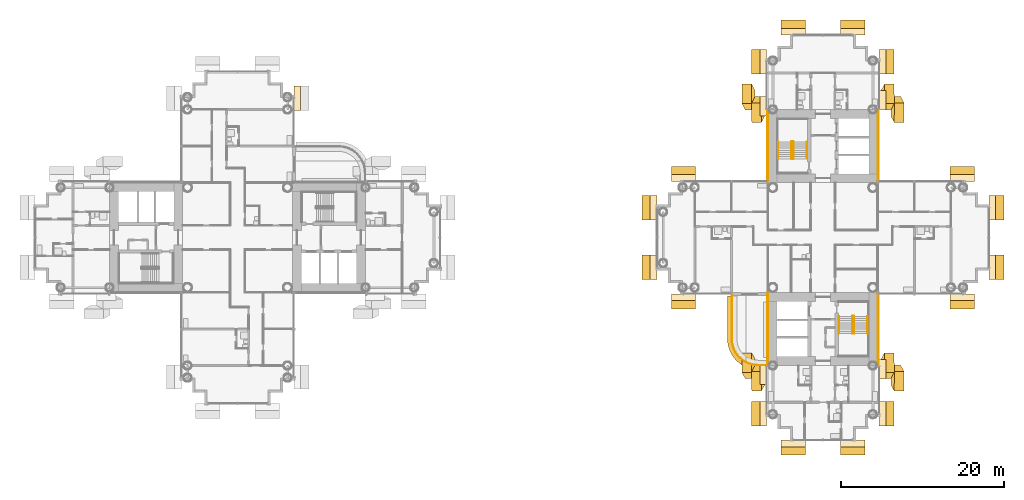
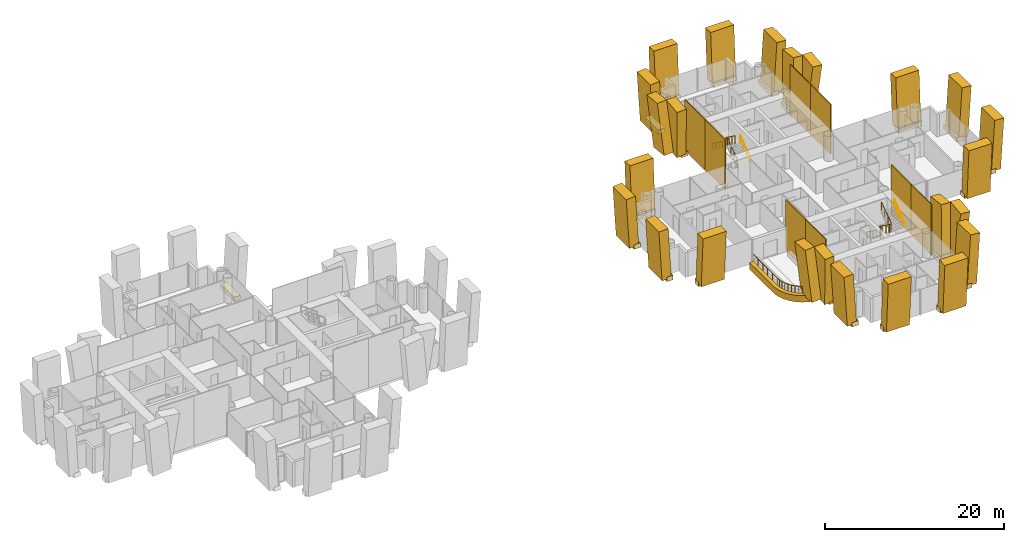
# One storey, part 22 of 23: 54 coverings, 7 railings.
"""IFC4 building model written with IfcOpenShell, lengths in metres."""

from ifc_helpers import new_model, si_unit, direction, frame, origin, origin_2d, place, context, subcontext, project, spatial, polyline, rectangle, circle, outline, extrude, material, layer, layer_set, material_profile, profile_set, type_object, element, save


model = new_model("IFC4")

# Units and contexts
model_context = context("Model", 3, precision=1e-05, world=origin(), true_north=direction((0.0, 1.0)))
body_context = subcontext(model_context, "Body", "Model", "MODEL_VIEW")
ifc_project = project(units=[si_unit("LENGTHUNIT", "METRE"), si_unit("AREAUNIT", "SQUARE_METRE"), si_unit("VOLUMEUNIT", "CUBIC_METRE"), si_unit("PLANEANGLEUNIT", "RADIAN"), si_unit("MASSUNIT", "GRAM", prefix="KILO")], contexts=[model_context])

# Site, building, storey
site_placement = place(None, origin())
site = spatial("IfcSite", under=ifc_project, at=site_placement, CompositionType="ELEMENT")
building_placement = place(site_placement, origin())
building = spatial("IfcBuilding", under=site, at=building_placement, Name="Ipe Terrace Towers", CompositionType="ELEMENT")
storey_placement = place(building_placement, frame((0.0, 0.0, 51.699951171875)))
storey = spatial("IfcBuildingStorey", under=building, at=storey_placement, Name="L13", CompositionType="ELEMENT", Elevation=51.699951171875)

# Railing
ifc_material_1 = material(Name="Stainless steel S316", Category="steel")
railing_type_1 = type_object("IfcRailingType", Name="GUARD 1100", PredefinedType="BALUSTRADE", material=ifc_material_1)
railing_1_placement = place(storey_placement, frame((24.800048828125, -7.070068359375, -0.02001953125)))
element("IfcRailing", 1, at=railing_1_placement, inside=storey, type_object=railing_type_1, Name="guard", PredefinedType="BALUSTRADE", context=body_context, shape_type="SweptSolid", body=[
    extrude(circle(Radius=0.02392578125, at=origin_2d()), frame((0.0, 0.0, 1.076171875), z_axis=(0.0, -1.0, 0.0), x_axis=(1.0, 0.0, 0.0)), (0.0, 0.0, 1.0), 5.3779296875),
    extrude(circle(Radius=0.02392578125, at=origin_2d()), frame((0.0, -5.3779296875, 1.076171875), z_axis=(0.065190546171, -0.997872833927, 0.0), x_axis=(0.997872833927, 0.065190546171, 0.0)), (0.0, 0.0, 1.0), 0.427001953125),
    extrude(circle(Radius=0.02392578125, at=origin_2d()), frame((0.02783203125, -5.803955078125, 1.076171875), z_axis=(0.195232649896, -0.980756958892, 0.0), x_axis=(0.980756958892, 0.195232649896, 0.0)), (0.0, 0.0, 1.0), 0.42529296875),
    extrude(circle(Radius=0.02392578125, at=origin_2d()), frame((0.11083984375, -6.220947265625, 1.076171875), z_axis=(0.320184280026, -0.947355280148, 0.0), x_axis=(0.947355280148, 0.320184280026, 0.0)), (0.0, 0.0, 1.0), 0.425537109375),
    extrude(circle(Radius=0.02392578125, at=origin_2d()), frame((0.2470703125, -6.6240234375, 1.076171875), z_axis=(0.444455160923, -0.895801099535, 0.0), x_axis=(0.895801099535, 0.444455160923, 0.0)), (0.0, 0.0, 1.0), 0.425048828125),
    extrude(circle(Radius=0.02392578125, at=origin_2d()), frame((0.43603515625, -7.0048828125, 1.076171875), z_axis=(0.55549616226, -0.83151910003, 0.0), x_axis=(0.83151910003, 0.55549616226, 0.0)), (0.0, 0.0, 1.0), 0.424560546875),
    extrude(circle(Radius=0.02392578125, at=origin_2d()), frame((0.671875, -7.35791015625, 1.076171875), z_axis=(0.658463964434, -0.752612255774, 0.0), x_axis=(0.752612255774, 0.658463964434, 0.0)), (0.0, 0.0, 1.0), 0.42529296875),
    extrude(circle(Radius=0.02392578125, at=origin_2d()), frame((0.951904296875, -7.677978515625, 1.076171875), z_axis=(0.752612255774, -0.658463964434, 0.0), x_axis=(0.658463964434, 0.752612255774, 0.0)), (0.0, 0.0, 1.0), 0.42529296875),
    extrude(circle(Radius=0.02392578125, at=origin_2d()), frame((1.27197265625, -7.9580078125, 1.076171875), z_axis=(0.83151910003, -0.55549616226, 0.0), x_axis=(0.55549616226, 0.83151910003, 0.0)), (0.0, 0.0, 1.0), 0.424560546875),
    extrude(circle(Radius=0.02392578125, at=origin_2d()), frame((1.625, -8.19384765625, 1.076171875), z_axis=(0.895801099535, -0.444455160923, 0.0), x_axis=(0.444455160923, 0.895801099535, 0.0)), (0.0, 0.0, 1.0), 0.425048828125),
    extrude(circle(Radius=0.02392578125, at=origin_2d()), frame((2.005859375, -8.3828125, 1.076171875), z_axis=(0.947355280148, -0.320184280026, 0.0), x_axis=(0.320184280026, 0.947355280148, 0.0)), (0.0, 0.0, 1.0), 0.425537109375),
    extrude(circle(Radius=0.02392578125, at=origin_2d()), frame((2.408935546875, -8.51904296875, 1.076171875), z_axis=(0.980756958892, -0.195232649896, 0.0), x_axis=(0.195232649896, 0.980756958892, 0.0)), (0.0, 0.0, 1.0), 0.42529296875),
    extrude(circle(Radius=0.02392578125, at=origin_2d()), frame((2.825927734375, -8.60205078125, 1.076171875), z_axis=(0.997872833927, -0.065190546171, 0.0), x_axis=(0.065190546171, 0.997872833927, 0.0)), (0.0, 0.0, 1.0), 0.427001953125),
    extrude(circle(Radius=0.02392578125, at=origin_2d()), frame((3.251953125, -8.6298828125, 1.076171875), z_axis=(1.0, 0.0, 0.0), x_axis=(0.0, 1.0, 0.0)), (0.0, 0.0, 1.0), 0.8779296875),
    extrude(circle(Radius=0.02099609375, at=origin_2d()), origin(), (0.0, 0.0, 1.0), 1.052001953125),
    extrude(circle(Radius=0.02099609375, at=origin_2d()), frame((0.0, -1.07568359375, 0.0)), (0.0, 0.0, 1.0), 1.052001953125),
    extrude(circle(Radius=0.02099609375, at=origin_2d()), frame((0.0, -2.151123046875, 0.0)), (0.0, 0.0, 1.0), 1.052001953125),
    extrude(circle(Radius=0.02099609375, at=origin_2d()), frame((0.0, -3.226806640625, 0.0)), (0.0, 0.0, 1.0), 1.052001953125),
    extrude(circle(Radius=0.02099609375, at=origin_2d()), frame((0.0, -4.30224609375, 0.0)), (0.0, 0.0, 1.0), 1.052001953125),
    extrude(circle(Radius=0.02099609375, at=origin_2d()), frame((0.0, -5.3779296875, 0.0)), (0.0, 0.0, 1.0), 1.052001953125),
    extrude(circle(Radius=0.02099609375, at=origin_2d()), frame((0.02783203125, -5.803955078125, 0.0)), (0.0, 0.0, 1.0), 1.052001953125),
    extrude(circle(Radius=0.02099609375, at=origin_2d()), frame((0.11083984375, -6.220947265625, 0.0)), (0.0, 0.0, 1.0), 1.052001953125),
    extrude(circle(Radius=0.02099609375, at=origin_2d()), frame((0.2470703125, -6.6240234375, 0.0)), (0.0, 0.0, 1.0), 1.052001953125),
    extrude(circle(Radius=0.02099609375, at=origin_2d()), frame((0.43603515625, -7.0048828125, 0.0)), (0.0, 0.0, 1.0), 1.052001953125),
    extrude(circle(Radius=0.02099609375, at=origin_2d()), frame((0.671875, -7.35791015625, 0.0)), (0.0, 0.0, 1.0), 1.052001953125),
    extrude(circle(Radius=0.02099609375, at=origin_2d()), frame((0.951904296875, -7.677978515625, 0.0)), (0.0, 0.0, 1.0), 1.052001953125),
    extrude(circle(Radius=0.02099609375, at=origin_2d()), frame((1.27197265625, -7.9580078125, 0.0)), (0.0, 0.0, 1.0), 1.052001953125),
    extrude(circle(Radius=0.02099609375, at=origin_2d()), frame((1.625, -8.19384765625, 0.0)), (0.0, 0.0, 1.0), 1.052001953125),
    extrude(circle(Radius=0.02099609375, at=origin_2d()), frame((2.005859375, -8.3828125, 0.0)), (0.0, 0.0, 1.0), 1.052001953125),
    extrude(circle(Radius=0.02099609375, at=origin_2d()), frame((2.408935546875, -8.51904296875, 0.0)), (0.0, 0.0, 1.0), 1.052001953125),
    extrude(circle(Radius=0.02099609375, at=origin_2d()), frame((2.825927734375, -8.60205078125, 0.0)), (0.0, 0.0, 1.0), 1.052001953125),
    extrude(circle(Radius=0.02099609375, at=origin_2d()), frame((3.251953125, -8.6298828125, 0.0)), (0.0, 0.0, 1.0), 1.052001953125),
    extrude(circle(Radius=0.02099609375, at=origin_2d()), frame((4.1298828125, -8.6298828125, 0.0)), (0.0, 0.0, 1.0), 1.052001953125),
])

# Coverings
ifc_material_2 = material(Name="Concrete C50/60 precast, buff finish", Category="concrete")
ifc_layer_1 = layer(ifc_material_2, 0.1201171875)
ifc_layer_set_1 = layer_set([ifc_layer_1], Name="STONE CORE CLADDING 120")
covering_type_1 = type_object("IfcCoveringType", Name="STONE CORE CLADDING 120", PredefinedType="CLADDING", material=ifc_layer_set_1)
covering_1_placement = place(storey_placement, frame((29.18994140625, -13.5, 0.0), z_axis=(0.0, 0.0, 1.0), x_axis=(0.0, -1.0, 0.0)))
element("IfcCovering", 2, at=covering_1_placement, inside=storey, type_object=covering_type_1, Name="stone core cladding", PredefinedType="CLADDING", context=body_context, shape_type="SweptSolid", body=[
    extrude(rectangle(XDim=4.5009765625, YDim=0.1201171875, at=origin_2d()), origin(), (0.0, 0.0, 1.0), 6.800048828125),
])
for number, where, z_axis, x_axis, name in (
    (3, (29.18994140625, -9.0, 0.0), (0.0, 0.0, 1.0), (0.0, -1.0, 0.0), "stone core cladding"),
    (4, (29.18994140625, 9.0, 0.0), (0.0, 0.0, 1.0), (0.0, -1.0, 0.0), "stone core cladding"),
):
    element("IfcCovering", number, at=place(storey_placement, frame(where, z_axis=z_axis, x_axis=x_axis)), inside=storey, type_object=covering_type_1, Name=name, PredefinedType="CLADDING", context=body_context, shape_type="SweptSolid", body=[
        extrude(rectangle(XDim=4.5, YDim=0.1201171875, at=origin_2d()), origin(), (0.0, 0.0, 1.0), 6.800048828125),
    ])
for number, where, z_axis, x_axis, name in (
    (5, (29.18994140625, 13.5, 0.0), (0.0, 0.0, 1.0), (0.0, -1.0, 0.0), "stone core cladding"),
    (6, (42.81005859375, -13.5, 0.0), (0.0, 0.0, 1.0), (0.0, 1.0, 0.0), "stone core cladding"),
):
    element("IfcCovering", number, at=place(storey_placement, frame(where, z_axis=z_axis, x_axis=x_axis)), inside=storey, type_object=covering_type_1, Name=name, PredefinedType="CLADDING", context=body_context, shape_type="SweptSolid", body=[
        extrude(rectangle(XDim=4.5009765625, YDim=0.1201171875, at=origin_2d()), origin(), (0.0, 0.0, 1.0), 6.800048828125),
    ])
for number, where, z_axis, x_axis, name in (
    (7, (42.81005859375, -9.0, 0.0), (0.0, 0.0, 1.0), (0.0, 1.0, 0.0), "stone core cladding"),
    (8, (42.81005859375, 9.0, 0.0), (0.0, 0.0, 1.0), (0.0, 1.0, 0.0), "stone core cladding"),
):
    element("IfcCovering", number, at=place(storey_placement, frame(where, z_axis=z_axis, x_axis=x_axis)), inside=storey, type_object=covering_type_1, Name=name, PredefinedType="CLADDING", context=body_context, shape_type="SweptSolid", body=[
        extrude(rectangle(XDim=4.5, YDim=0.1201171875, at=origin_2d()), origin(), (0.0, 0.0, 1.0), 6.800048828125),
    ])
covering_2_placement = place(storey_placement, frame((42.81005859375, 13.5, 0.0), z_axis=(0.0, 0.0, 1.0), x_axis=(0.0, 1.0, 0.0)))
element("IfcCovering", 9, at=covering_2_placement, inside=storey, type_object=covering_type_1, Name="stone core cladding", PredefinedType="CLADDING", context=body_context, shape_type="SweptSolid", body=[
    extrude(rectangle(XDim=4.5009765625, YDim=0.1201171875, at=origin_2d()), origin(), (0.0, 0.0, 1.0), 6.800048828125),
])
ifc_material_3 = material(Name="Concrete C50/60 precast, buff finish", Category="concrete")
ifc_layer_2 = layer(ifc_material_3, 0.5)
ifc_layer_set_2 = layer_set([ifc_layer_2], Name="STONE EDGE BAND 500 x 900")
covering_type_2 = type_object("IfcCoveringType", Name="STONE EDGE BAND 500 x 900", PredefinedType="CLADDING", material=ifc_layer_set_2)
covering_3_placement = place(storey_placement, frame((0.0, 0.0, -0.719970703125)))
element("IfcCovering", 10, at=covering_3_placement, inside=storey, type_object=covering_type_2, Name="stone edge band", PredefinedType="CLADDING", context=body_context, shape_type="SweptSolid", body=[
    extrude(outline(polyline([(24.25, -12.449951171875), (24.2509765625, -12.48291015625), (24.279052734375, -12.9130859375), (24.2880859375, -12.97802734375), (24.3720703125, -13.402099609375), (24.388916015625, -13.465087890625), (24.528076171875, -13.8740234375), (24.552978515625, -13.93408203125), (24.743896484375, -14.321044921875), (24.77587890625, -14.3779296875), (25.01611328125, -14.737060546875), (25.055908203125, -14.7890625), (25.341064453125, -15.113037109375), (25.386962890625, -15.158935546875), (25.7109375, -15.444091796875), (25.762939453125, -15.48388671875), (26.1220703125, -15.72412109375), (26.178955078125, -15.756103515625), (26.56591796875, -15.947021484375), (26.6259765625, -15.971923828125), (27.034912109375, -16.111083984375), (27.097900390625, -16.1279296875), (27.52197265625, -16.2119140625), (27.5869140625, -16.220947265625), (28.01708984375, -16.2490234375), (28.050048828125, -16.25), (28.800048828125, -16.25), (28.800048828125, -15.75), (28.050048828125, -15.75), (27.618896484375, -15.721923828125), (27.196044921875, -15.637939453125), (26.787109375, -15.4990234375), (26.39990234375, -15.30810546875), (26.041015625, -15.068115234375), (25.717041015625, -14.782958984375), (25.431884765625, -14.458984375), (25.19189453125, -14.10009765625), (25.0009765625, -13.712890625), (24.862060546875, -13.303955078125), (24.778076171875, -12.881103515625), (24.75, -12.449951171875), (24.75, -7.199951171875), (24.25, -7.199951171875), (24.25, -12.449951171875)])), origin(), (0.0, 0.0, 1.0), 0.89990234375),
])
ifc_material_4 = material(Name="Concrete C50/60 precast, buff finish", Category="concrete")
ifc_material_profile_1 = material_profile(ifc_material_4, rectangle(XDim=2.39990234375, YDim=1.199951171875, at=origin_2d()), Name="STONE FIN 2400 x 1200")
ifc_profile_set_1 = profile_set([ifc_material_profile_1], Name="Concrete C50/60 precast, buff finish")
covering_type_3 = type_object("IfcCoveringType", Name="STONE FIN 2400 x 1200", PredefinedType="USERDEFINED", material=ifc_profile_set_1)
for number, where, z_axis, x_axis, name in (
    (11, (28.25390625, -16.886962890625, 0.0), (-0.061647592999, -0.115607033522, 0.991380143072), (0.00717500355, -0.993295028579, -0.115384164962), "stone fin"),
    (12, (27.053955078125, -16.1630859375, 0.0), (-0.061647592999, 0.115607033522, 0.991380143072), (-0.00717500355, -0.993295028579, 0.115384164962), "stone fin"),
    (13, (27.053955078125, 16.886962890625, 0.0), (-0.061647592999, 0.115607033522, 0.991380143072), (-0.00717500355, -0.993295028579, 0.115384164962), "stone fin"),
    (14, (28.25390625, 16.1630859375, 0.0), (-0.061647592999, -0.115607033522, 0.991380143072), (0.00717500355, -0.993295028579, -0.115384164962), "stone fin"),
    (15, (44.946044921875, -16.886962890625, 0.0), (0.061647592999, -0.115607033522, 0.991380143072), (0.00717500355, 0.993295028579, 0.115384164962), "stone fin"),
    (16, (43.74609375, -16.1630859375, 0.0), (0.061647592999, 0.115607033522, 0.991380143072), (-0.00717500355, 0.993295028579, -0.115384164962), "stone fin"),
    (17, (43.74609375, 16.886962890625, 0.0), (0.061647592999, 0.115607033522, 0.991380143072), (-0.00717500355, 0.993295028579, -0.115384164962), "stone fin"),
    (18, (44.946044921875, 16.1630859375, 0.0), (0.061647592999, -0.115607033522, 0.991380143072), (0.00717500355, 0.993295028579, 0.115384164962), "stone fin"),
):
    element("IfcCovering", number, at=place(storey_placement, frame(where, z_axis=z_axis, x_axis=x_axis)), inside=storey, type_object=covering_type_3, Name=name, ObjectType="FIN", PredefinedType="USERDEFINED", context=body_context, shape_type="SweptSolid", body=[
        extrude(rectangle(XDim=2.39990234375, YDim=1.199951171875, at=origin_2d()), origin(), (0.0, 0.0, 1.0), 6.859130859375),
    ])
ifc_material_5 = material(Name="Concrete C50/60 precast, buff finish", Category="concrete")
ifc_material_profile_2 = material_profile(ifc_material_5, rectangle(XDim=3.0, YDim=1.199951171875, at=origin_2d()), Name="STONE FIN CORNER 3000 x 1200")
ifc_profile_set_2 = profile_set([ifc_material_profile_2], Name="Concrete C50/60 precast, buff finish")
covering_type_4 = type_object("IfcCoveringType", Name="STONE FIN CORNER 3000 x 1200", PredefinedType="USERDEFINED", material=ifc_profile_set_2)
for number, where, z_axis, x_axis, name in (
    (19, (14.75390625, -3.64990234375, 0.0), (-0.062063728525, 0.0, 0.998072188572), (0.0, -1.0, 0.0), "stone fin"),
    (20, (14.75390625, 3.64990234375, 0.0), (-0.062063728525, 0.0, 0.998072188572), (0.0, -1.0, 0.0), "stone fin"),
    (21, (18.85009765625, -7.74609375, 0.0), (0.0, -0.062063728525, 0.998072188572), (1.0, 0.0, 0.0), "stone fin"),
    (22, (18.85009765625, 7.74609375, 0.0), (0.0, 0.062063728525, 0.998072188572), (-1.0, 0.0, 0.0), "stone fin"),
    (23, (28.25390625, -21.64990234375, 0.0), (-0.062063728525, 0.0, 0.998072188572), (0.0, -1.0, 0.0), "stone fin"),
    (24, (28.25390625, 21.64990234375, 0.0), (-0.062063728525, 0.0, 0.998072188572), (0.0, -1.0, 0.0), "stone fin"),
    (25, (32.35009765625, -25.74609375, 0.0), (0.0, -0.062063728525, 0.998072188572), (1.0, 0.0, 0.0), "stone fin"),
    (26, (32.35009765625, 25.74609375, 0.0), (0.0, 0.062063728525, 0.998072188572), (-1.0, 0.0, 0.0), "stone fin"),
    (27, (39.64990234375, -25.74609375, 0.0), (0.0, -0.062063728525, 0.998072188572), (1.0, 0.0, 0.0), "stone fin"),
    (28, (39.64990234375, 25.74609375, 0.0), (0.0, 0.062063728525, 0.998072188572), (-1.0, 0.0, 0.0), "stone fin"),
    (29, (43.74609375, -21.64990234375, 0.0), (0.062063728525, 0.0, 0.998072188572), (0.0, 1.0, 0.0), "stone fin"),
    (30, (43.74609375, 21.64990234375, 0.0), (0.062063728525, 0.0, 0.998072188572), (0.0, 1.0, 0.0), "stone fin"),
    (31, (53.14990234375, -7.74609375, 0.0), (0.0, -0.062063728525, 0.998072188572), (1.0, 0.0, 0.0), "stone fin"),
    (32, (53.14990234375, 7.74609375, 0.0), (0.0, 0.062063728525, 0.998072188572), (-1.0, 0.0, 0.0), "stone fin"),
    (33, (57.24609375, -3.64990234375, 0.0), (0.062063728525, 0.0, 0.998072188572), (0.0, 1.0, 0.0), "stone fin"),
    (34, (57.24609375, 3.64990234375, 0.0), (0.062063728525, 0.0, 0.998072188572), (0.0, 1.0, 0.0), "stone fin"),
):
    element("IfcCovering", number, at=place(storey_placement, frame(where, z_axis=z_axis, x_axis=x_axis)), inside=storey, type_object=covering_type_4, Name=name, ObjectType="FIN", PredefinedType="USERDEFINED", context=body_context, shape_type="SweptSolid", body=[
        extrude(rectangle(XDim=3.0, YDim=1.199951171875, at=origin_2d()), origin(), (0.0, 0.0, 1.0), 6.813232421875),
    ])
ifc_material_6 = material(Name="Concrete C50/60 precast, buff finish", Category="concrete")
covering_type_5 = type_object("IfcCoveringType", Name="STONE FIN SHELF 2400 x 600", PredefinedType="CLADDING", material=ifc_material_6)
for number, where, z_axis, x_axis, name in (
    (35, (28.6689453125, -16.886962890625, -0.35009765625), (0.0, 0.0, 1.0), (0.0, -1.0, 0.0), "stone fin shelf"),
    (36, (28.6689453125, 16.1630859375, -0.35009765625), (0.0, 0.0, 1.0), (0.0, -1.0, 0.0), "stone fin shelf"),
    (37, (43.3310546875, -16.1630859375, -0.35009765625), (0.0, 0.0, 1.0), (0.0, 1.0, 0.0), "stone fin shelf"),
    (38, (43.3310546875, 16.886962890625, -0.35009765625), (0.0, 0.0, 1.0), (0.0, 1.0, 0.0), "stone fin shelf"),
):
    element("IfcCovering", number, at=place(storey_placement, frame(where, z_axis=z_axis, x_axis=x_axis)), inside=storey, type_object=covering_type_5, Name=name, PredefinedType="CLADDING", context=body_context, shape_type="SweptSolid", body=[
        extrude(rectangle(XDim=2.39990234375, YDim=0.830078125, at=origin_2d()), origin(), (0.0, 0.0, 1.0), 0.60009765625),
    ])
ifc_material_7 = material(Name="Concrete C50/60 precast, buff finish", Category="concrete")
covering_type_6 = type_object("IfcCoveringType", Name="STONE FIN SHELF 3000 x 600", PredefinedType="CLADDING", material=ifc_material_7)
for number, where, z_axis, x_axis, name in (
    (39, (-28.6689453125, 17.14990234375, -0.35009765625), (0.0, 0.0, 1.0), (0.0, 1.0, 0.0), "stone fin shelf"),
    (40, (15.1689453125, -3.64990234375, -0.35009765625), (0.0, 0.0, 1.0), (0.0, -1.0, 0.0), "stone fin shelf"),
    (41, (15.1689453125, 3.64990234375, -0.35009765625), (0.0, 0.0, 1.0), (0.0, -1.0, 0.0), "stone fin shelf"),
    (42, (18.85009765625, -7.3310546875, -0.35009765625), (0.0, 0.0, 1.0), (1.0, 0.0, 0.0), "stone fin shelf"),
    (43, (18.85009765625, 7.3310546875, -0.35009765625), (0.0, 0.0, 1.0), (-1.0, 0.0, 0.0), "stone fin shelf"),
    (44, (28.6689453125, -21.64990234375, -0.35009765625), (0.0, 0.0, 1.0), (0.0, -1.0, 0.0), "stone fin shelf"),
    (45, (28.6689453125, 21.64990234375, -0.35009765625), (0.0, 0.0, 1.0), (0.0, -1.0, 0.0), "stone fin shelf"),
    (46, (32.35009765625, -25.3310546875, -0.35009765625), (0.0, 0.0, 1.0), (1.0, 0.0, 0.0), "stone fin shelf"),
    (47, (32.35009765625, 25.3310546875, -0.35009765625), (0.0, 0.0, 1.0), (-1.0, 0.0, 0.0), "stone fin shelf"),
    (48, (39.64990234375, -25.3310546875, -0.35009765625), (0.0, 0.0, 1.0), (1.0, 0.0, 0.0), "stone fin shelf"),
    (49, (39.64990234375, 25.3310546875, -0.35009765625), (0.0, 0.0, 1.0), (-1.0, 0.0, 0.0), "stone fin shelf"),
    (50, (43.3310546875, -21.64990234375, -0.35009765625), (0.0, 0.0, 1.0), (0.0, 1.0, 0.0), "stone fin shelf"),
    (51, (43.3310546875, 21.64990234375, -0.35009765625), (0.0, 0.0, 1.0), (0.0, 1.0, 0.0), "stone fin shelf"),
    (52, (53.14990234375, -7.3310546875, -0.35009765625), (0.0, 0.0, 1.0), (1.0, 0.0, 0.0), "stone fin shelf"),
    (53, (53.14990234375, 7.3310546875, -0.35009765625), (0.0, 0.0, 1.0), (-1.0, 0.0, 0.0), "stone fin shelf"),
    (54, (56.8310546875, -3.64990234375, -0.35009765625), (0.0, 0.0, 1.0), (0.0, 1.0, 0.0), "stone fin shelf"),
    (55, (56.8310546875, 3.64990234375, -0.35009765625), (0.0, 0.0, 1.0), (0.0, 1.0, 0.0), "stone fin shelf"),
):
    element("IfcCovering", number, at=place(storey_placement, frame(where, z_axis=z_axis, x_axis=x_axis)), inside=storey, type_object=covering_type_6, Name=name, PredefinedType="CLADDING", context=body_context, shape_type="SweptSolid", body=[
        extrude(rectangle(XDim=3.0, YDim=0.830078125, at=origin_2d()), origin(), (0.0, 0.0, 1.0), 0.60009765625),
    ])

# Railings
ifc_material_8 = material(Name="Steel S355", Category="steel")
railing_type_2 = type_object("IfcRailingType", Name="Stair guard 1100", PredefinedType="GUARDRAIL", material=ifc_material_8)
railing_2_placement = place(storey_placement, frame((32.199951171875, 9.64990234375, 0.0)))
element("IfcRailing", 56, at=railing_2_placement, inside=storey, type_object=railing_type_2, Name="L13 T2-ST1 stair guard 1", PredefinedType="GUARDRAIL", context=body_context, shape_type="SweptSolid", body=[
    extrude(circle(Radius=0.02392578125, at=origin_2d()), frame((0.0, 0.0, 1.076171875), z_axis=(1.0, 0.0, 0.0), x_axis=(0.0, 1.0, 0.0)), (0.0, 0.0, 1.0), 0.150146484375),
    extrude(circle(Radius=0.02392578125, at=origin_2d()), frame((0.150146484375, 0.0, 1.076171875), z_axis=(0.246893586699, 0.248103849378, 0.936743314239), x_axis=(-0.708833529934, 0.705375805398, 0.0)), (0.0, 0.0, 1.0), 0.20166015625),
    extrude(circle(Radius=0.02392578125, at=origin_2d()), frame((0.199951171875, 0.050048828125, 1.26513671875), z_axis=(0.0, 0.809068575486, 0.587714250432), x_axis=(-1.0, 0.0, 0.0)), (0.0, 0.0, 1.0), 2.571044921875),
    extrude(circle(Radius=0.02392578125, at=origin_2d()), frame((0.199951171875, 2.130126953125, 2.77587890625), z_axis=(-0.705375805398, 0.708833529934, 0.0), x_axis=(-0.708833529934, -0.705375805398, 0.0)), (0.0, 0.0, 1.0), 0.070556640625),
    extrude(circle(Radius=0.02392578125, at=origin_2d()), frame((0.150146484375, 2.18017578125, 2.77587890625), z_axis=(-1.0, 0.0, 0.0), x_axis=(0.0, -1.0, 0.0)), (0.0, 0.0, 1.0), 0.150146484375),
    extrude(circle(Radius=0.02392578125, at=origin_2d()), frame((0.0, 2.18017578125, 2.77587890625), z_axis=(-0.248029566107, -0.248029566107, 0.936462849596), x_axis=(0.707106781187, -0.707106781187, 0.0)), (0.0, 0.0, 1.0), 0.201904296875),
    extrude(circle(Radius=0.02392578125, at=origin_2d()), frame((-0.050048828125, 2.130126953125, 2.96484375), z_axis=(0.0, -0.809023421508, 0.587776406001), x_axis=(1.0, 0.0, 0.0)), (0.0, 0.0, 1.0), 2.571044921875),
    extrude(circle(Radius=0.02099609375, at=origin_2d()), origin(), (0.0, 0.0, 1.0), 1.052001953125),
    extrude(circle(Radius=0.02099609375, at=origin_2d()), frame((0.150146484375, 0.0, 0.0)), (0.0, 0.0, 1.0), 1.052001953125),
    extrude(circle(Radius=0.02099609375, at=origin_2d()), frame((0.199951171875, 0.050048828125, 0.18896484375)), (0.0, 0.0, 1.0), 1.052001953125),
    extrude(circle(Radius=0.02099609375, at=origin_2d()), frame((0.199951171875, 0.743408203125, 0.692626953125)), (0.0, 0.0, 1.0), 1.052001953125),
    extrude(circle(Radius=0.02099609375, at=origin_2d()), frame((0.199951171875, 1.436767578125, 1.1962890625)), (0.0, 0.0, 1.0), 1.052001953125),
    extrude(circle(Radius=0.02099609375, at=origin_2d()), frame((0.199951171875, 2.130126953125, 1.699951171875)), (0.0, 0.0, 1.0), 1.052001953125),
    extrude(circle(Radius=0.02099609375, at=origin_2d()), frame((0.150146484375, 2.18017578125, 1.699951171875)), (0.0, 0.0, 1.0), 1.052001953125),
    extrude(circle(Radius=0.02099609375, at=origin_2d()), frame((0.0, 2.18017578125, 1.699951171875)), (0.0, 0.0, 1.0), 1.052001953125),
    extrude(circle(Radius=0.02099609375, at=origin_2d()), frame((-0.050048828125, 2.130126953125, 1.888916015625)), (0.0, 0.0, 1.0), 1.052001953125),
    extrude(circle(Radius=0.02099609375, at=origin_2d()), frame((-0.050048828125, 1.436767578125, 2.392578125)), (0.0, 0.0, 1.0), 1.052001953125),
    extrude(circle(Radius=0.02099609375, at=origin_2d()), frame((-0.050048828125, 0.743408203125, 2.896484375)), (0.0, 0.0, 1.0), 1.052001953125),
    extrude(circle(Radius=0.02099609375, at=origin_2d()), frame((-0.050048828125, 0.050048828125, 3.400146484375)), (0.0, 0.0, 1.0), 1.052001953125),
])
railing_3_placement = place(storey_placement, frame((39.800048828125, -9.64990234375, 0.0)))
element("IfcRailing", 57, at=railing_3_placement, inside=storey, type_object=railing_type_2, Name="L13 T2-ST2 stair guard 1", PredefinedType="GUARDRAIL", context=body_context, shape_type="SweptSolid", body=[
    extrude(circle(Radius=0.02392578125, at=origin_2d()), frame((0.0, 0.0, 1.076171875), z_axis=(-1.0, 0.0, 0.0), x_axis=(0.0, -1.0, 0.0)), (0.0, 0.0, 1.0), 0.150146484375),
    extrude(circle(Radius=0.02392578125, at=origin_2d()), frame((-0.150146484375, 0.0, 1.076171875), z_axis=(-0.246893586699, -0.248103849378, 0.936743314239), x_axis=(0.708833529934, -0.705375805398, 0.0)), (0.0, 0.0, 1.0), 0.20166015625),
    extrude(circle(Radius=0.02392578125, at=origin_2d()), frame((-0.199951171875, -0.050048828125, 1.26513671875), z_axis=(0.0, -0.809068575486, 0.587714250432), x_axis=(1.0, 0.0, 0.0)), (0.0, 0.0, 1.0), 2.571044921875),
    extrude(circle(Radius=0.02392578125, at=origin_2d()), frame((-0.199951171875, -2.130126953125, 2.77587890625), z_axis=(0.705375805398, -0.708833529934, 0.0), x_axis=(0.708833529934, 0.705375805398, 0.0)), (0.0, 0.0, 1.0), 0.070556640625),
    extrude(circle(Radius=0.02392578125, at=origin_2d()), frame((-0.150146484375, -2.18017578125, 2.77587890625), z_axis=(1.0, 0.0, 0.0), x_axis=(0.0, 1.0, 0.0)), (0.0, 0.0, 1.0), 0.150146484375),
    extrude(circle(Radius=0.02392578125, at=origin_2d()), frame((0.0, -2.18017578125, 2.77587890625), z_axis=(0.248029566107, 0.248029566107, 0.936462849596), x_axis=(-0.707106781187, 0.707106781187, 0.0)), (0.0, 0.0, 1.0), 0.201904296875),
    extrude(circle(Radius=0.02392578125, at=origin_2d()), frame((0.050048828125, -2.130126953125, 2.96484375), z_axis=(0.0, 0.809023421508, 0.587776406001), x_axis=(-1.0, 0.0, 0.0)), (0.0, 0.0, 1.0), 2.571044921875),
    extrude(circle(Radius=0.02099609375, at=origin_2d()), origin(), (0.0, 0.0, 1.0), 1.052001953125),
    extrude(circle(Radius=0.02099609375, at=origin_2d()), frame((-0.150146484375, 0.0, 0.0)), (0.0, 0.0, 1.0), 1.052001953125),
    extrude(circle(Radius=0.02099609375, at=origin_2d()), frame((-0.199951171875, -0.050048828125, 0.18896484375)), (0.0, 0.0, 1.0), 1.052001953125),
    extrude(circle(Radius=0.02099609375, at=origin_2d()), frame((-0.199951171875, -0.743408203125, 0.692626953125)), (0.0, 0.0, 1.0), 1.052001953125),
    extrude(circle(Radius=0.02099609375, at=origin_2d()), frame((-0.199951171875, -1.436767578125, 1.1962890625)), (0.0, 0.0, 1.0), 1.052001953125),
    extrude(circle(Radius=0.02099609375, at=origin_2d()), frame((-0.199951171875, -2.130126953125, 1.699951171875)), (0.0, 0.0, 1.0), 1.052001953125),
    extrude(circle(Radius=0.02099609375, at=origin_2d()), frame((-0.150146484375, -2.18017578125, 1.699951171875)), (0.0, 0.0, 1.0), 1.052001953125),
    extrude(circle(Radius=0.02099609375, at=origin_2d()), frame((0.0, -2.18017578125, 1.699951171875)), (0.0, 0.0, 1.0), 1.052001953125),
    extrude(circle(Radius=0.02099609375, at=origin_2d()), frame((0.050048828125, -2.130126953125, 1.888916015625)), (0.0, 0.0, 1.0), 1.052001953125),
    extrude(circle(Radius=0.02099609375, at=origin_2d()), frame((0.050048828125, -1.436767578125, 2.392578125)), (0.0, 0.0, 1.0), 1.052001953125),
    extrude(circle(Radius=0.02099609375, at=origin_2d()), frame((0.050048828125, -0.743408203125, 2.896484375)), (0.0, 0.0, 1.0), 1.052001953125),
    extrude(circle(Radius=0.02099609375, at=origin_2d()), frame((0.050048828125, -0.050048828125, 3.400146484375)), (0.0, 0.0, 1.0), 1.052001953125),
])
ifc_material_9 = material(Name="Stainless steel grade 304", Category="steel")
railing_type_3 = type_object("IfcRailingType", Name="Stair handrail 900", PredefinedType="HANDRAIL", material=ifc_material_9)
railing_4_placement = place(storey_placement, frame((34.050048828125, 9.699951171875, 0.18896484375)))
element("IfcRailing", 58, at=railing_4_placement, inside=storey, type_object=railing_type_3, Name="L13 T2-ST1 stair handrail 1", PredefinedType="HANDRAIL", context=body_context, shape_type="SweptSolid", body=[
    extrude(circle(Radius=0.02392578125, at=origin_2d()), frame((0.0, 0.0, 0.8759765625), z_axis=(0.0, 0.809068575486, 0.587714250432), x_axis=(-1.0, 0.0, 0.0)), (0.0, 0.0, 1.0), 2.571044921875),
    extrude(circle(Radius=0.02099609375, at=origin_2d()), origin(), (0.0, 0.0, 1.0), 0.851806640625),
    extrude(circle(Radius=0.02099609375, at=origin_2d()), frame((0.0, 0.693359375, 0.503662109375)), (0.0, 0.0, 1.0), 0.851806640625),
    extrude(circle(Radius=0.02099609375, at=origin_2d()), frame((0.0, 1.38671875, 1.00732421875)), (0.0, 0.0, 1.0), 0.851806640625),
    extrude(circle(Radius=0.02099609375, at=origin_2d()), frame((0.0, 2.080078125, 1.510986328125)), (0.0, 0.0, 1.0), 0.851806640625),
])
railing_5_placement = place(storey_placement, frame((30.5, 11.780029296875, 1.888916015625)))
element("IfcRailing", 59, at=railing_5_placement, inside=storey, type_object=railing_type_3, Name="L13 T2-ST1 stair handrail 2", PredefinedType="HANDRAIL", context=body_context, shape_type="SweptSolid", body=[
    extrude(circle(Radius=0.02392578125, at=origin_2d()), frame((0.0, 0.0, 0.8759765625), z_axis=(0.0, -0.809023421508, 0.587776406001), x_axis=(1.0, 0.0, 0.0)), (0.0, 0.0, 1.0), 2.571044921875),
    extrude(circle(Radius=0.02099609375, at=origin_2d()), origin(), (0.0, 0.0, 1.0), 0.851806640625),
    extrude(circle(Radius=0.02099609375, at=origin_2d()), frame((0.0, -0.693359375, 0.503662109375)), (0.0, 0.0, 1.0), 0.851806640625),
    extrude(circle(Radius=0.02099609375, at=origin_2d()), frame((0.0, -1.38671875, 1.007568359375)), (0.0, 0.0, 1.0), 0.851806640625),
    extrude(circle(Radius=0.02099609375, at=origin_2d()), frame((0.0, -2.080078125, 1.51123046875)), (0.0, 0.0, 1.0), 0.851806640625),
])
railing_6_placement = place(storey_placement, frame((37.949951171875, -9.699951171875, 0.18896484375)))
element("IfcRailing", 60, at=railing_6_placement, inside=storey, type_object=railing_type_3, Name="L13 T2-ST2 stair handrail 1", PredefinedType="HANDRAIL", context=body_context, shape_type="SweptSolid", body=[
    extrude(circle(Radius=0.02392578125, at=origin_2d()), frame((0.0, 0.0, 0.8759765625), z_axis=(0.0, -0.809068575486, 0.587714250432), x_axis=(1.0, 0.0, 0.0)), (0.0, 0.0, 1.0), 2.571044921875),
    extrude(circle(Radius=0.02099609375, at=origin_2d()), origin(), (0.0, 0.0, 1.0), 0.851806640625),
    extrude(circle(Radius=0.02099609375, at=origin_2d()), frame((0.0, -0.693359375, 0.503662109375)), (0.0, 0.0, 1.0), 0.851806640625),
    extrude(circle(Radius=0.02099609375, at=origin_2d()), frame((0.0, -1.38671875, 1.00732421875)), (0.0, 0.0, 1.0), 0.851806640625),
    extrude(circle(Radius=0.02099609375, at=origin_2d()), frame((0.0, -2.080078125, 1.510986328125)), (0.0, 0.0, 1.0), 0.851806640625),
])
railing_7_placement = place(storey_placement, frame((41.5, -11.780029296875, 1.888916015625)))
element("IfcRailing", 61, at=railing_7_placement, inside=storey, type_object=railing_type_3, Name="L13 T2-ST2 stair handrail 2", PredefinedType="HANDRAIL", context=body_context, shape_type="SweptSolid", body=[
    extrude(circle(Radius=0.02392578125, at=origin_2d()), frame((0.0, 0.0, 0.8759765625), z_axis=(0.0, 0.809023421508, 0.587776406001), x_axis=(-1.0, 0.0, 0.0)), (0.0, 0.0, 1.0), 2.571044921875),
    extrude(circle(Radius=0.02099609375, at=origin_2d()), origin(), (0.0, 0.0, 1.0), 0.851806640625),
    extrude(circle(Radius=0.02099609375, at=origin_2d()), frame((0.0, 0.693359375, 0.503662109375)), (0.0, 0.0, 1.0), 0.851806640625),
    extrude(circle(Radius=0.02099609375, at=origin_2d()), frame((0.0, 1.38671875, 1.007568359375)), (0.0, 0.0, 1.0), 0.851806640625),
    extrude(circle(Radius=0.02099609375, at=origin_2d()), frame((0.0, 2.080078125, 1.51123046875)), (0.0, 0.0, 1.0), 0.851806640625),
])

save(model, "model.ifc")
